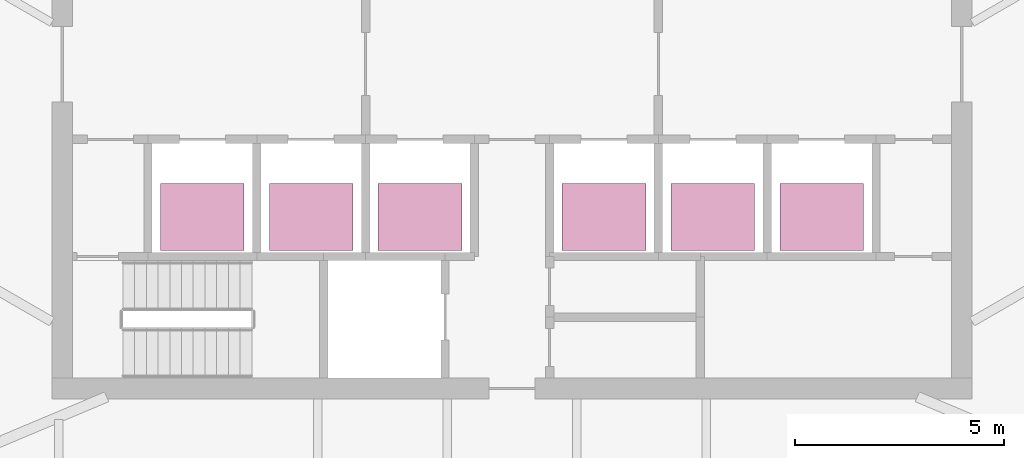
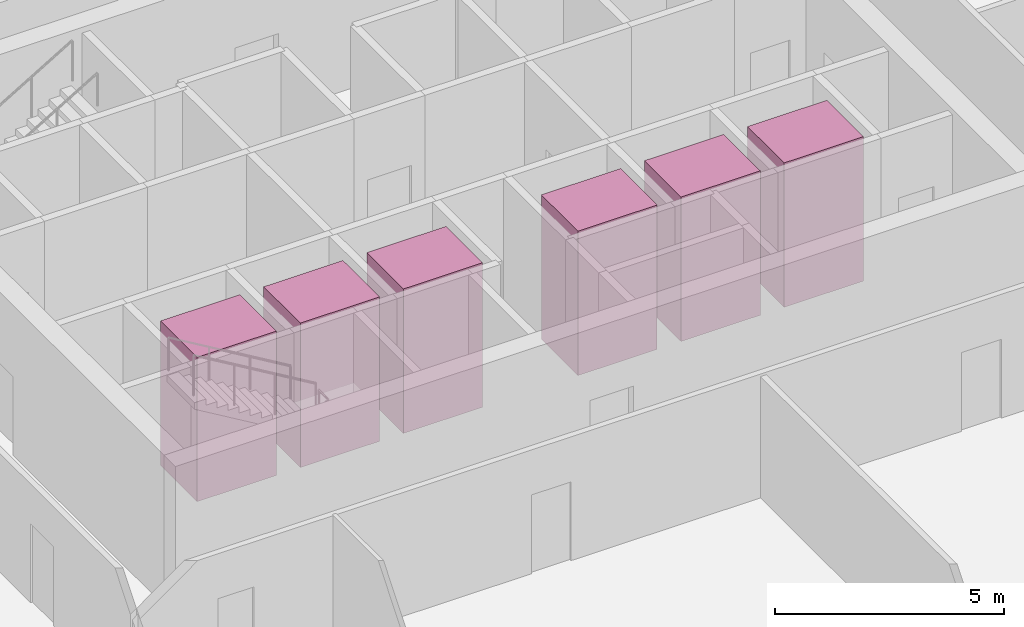
# One storey, part 18 of 18: 6 transport elements.
"""IFC4 building model written with IfcOpenShell, lengths in metres."""

from ifc_helpers import new_model, si_unit, direction, frame, origin, origin_2d, place, context, subcontext, project, spatial, rectangle, extrude, material, type_object, element, save


model = new_model("IFC4")

# Units and contexts
model_context = context("Model", 3, precision=1e-05, world=origin(), true_north=direction((0.0, 1.0)))
body_context = subcontext(model_context, "Body", "Model", "MODEL_VIEW")
ifc_project = project(units=[si_unit("LENGTHUNIT", "METRE"), si_unit("AREAUNIT", "SQUARE_METRE"), si_unit("VOLUMEUNIT", "CUBIC_METRE"), si_unit("PLANEANGLEUNIT", "RADIAN"), si_unit("MASSUNIT", "GRAM", prefix="KILO")], contexts=[model_context])

# Site, building, storey
site_placement = place(None, origin())
site = spatial("IfcSite", under=ifc_project, at=site_placement, CompositionType="ELEMENT")
building_placement = place(site_placement, origin())
building = spatial("IfcBuilding", under=site, at=building_placement, Name="Sierra Prisma Convention Tower", CompositionType="ELEMENT")
storey_placement = place(building_placement, frame((0.0, 0.0, 137.800048828125)))
storey = spatial("IfcBuildingStorey", under=building, at=storey_placement, Name="L29", CompositionType="ELEMENT", Elevation=137.800048828125)

# Transport elements
ifc_material = material(Name="Stainless steel", Category="steel")
transport_element_type = type_object("IfcTransportElementType", Name="Lift car office low 2000x1600 1600 kg", PredefinedType="ELEVATOR", material=ifc_material)
for number, where, z_axis, x_axis, name in (
    (1, (-7.39990234375, -3.64990234375, 0.0), (0.0, 0.0, 1.0), (1.0, 0.0, 0.0), "Lift OL1"),
    (2, (-4.800048828125, -3.64990234375, 0.0), (0.0, 0.0, 1.0), (1.0, 0.0, 0.0), "Lift OL2"),
    (3, (-2.199951171875, -3.64990234375, 0.0), (0.0, 0.0, 1.0), (1.0, 0.0, 0.0), "Lift OL3"),
    (4, (2.199951171875, -3.64990234375, 0.0), (0.0, 0.0, 1.0), (1.0, 0.0, 0.0), "Lift OL4"),
    (5, (4.800048828125, -3.64990234375, 0.0), (0.0, 0.0, 1.0), (1.0, 0.0, 0.0), "Lift OL5"),
    (6, (7.39990234375, -3.64990234375, 0.0), (0.0, 0.0, 1.0), (1.0, 0.0, 0.0), "Lift OL6"),
):
    element("IfcTransportElement", number, at=place(storey_placement, frame(where, z_axis=z_axis, x_axis=x_axis)), inside=storey, type_object=transport_element_type, Name=name, PredefinedType="ELEVATOR", context=body_context, shape_type="SweptSolid", body=[
        extrude(rectangle(XDim=2.0, YDim=1.60009765625, at=origin_2d()), origin(), (0.0, 0.0, 1.0), 3.85009765625),
    ])

save(model, "model.ifc")
